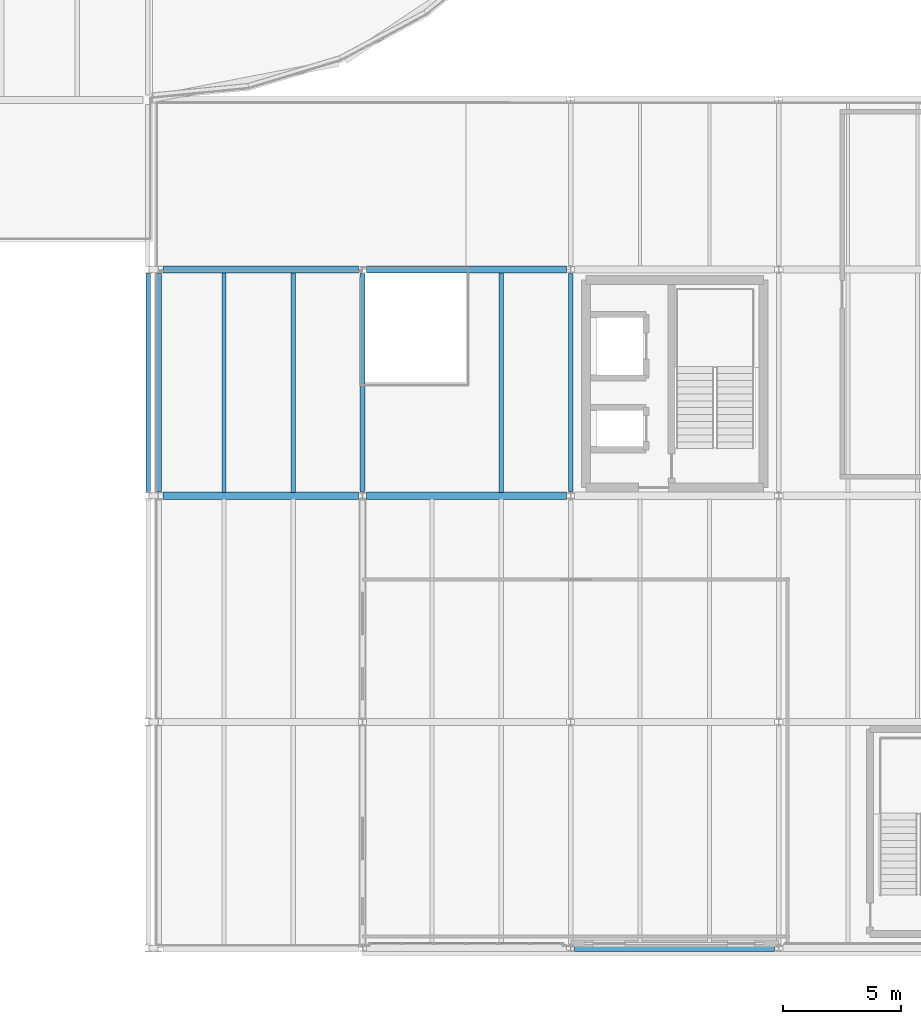
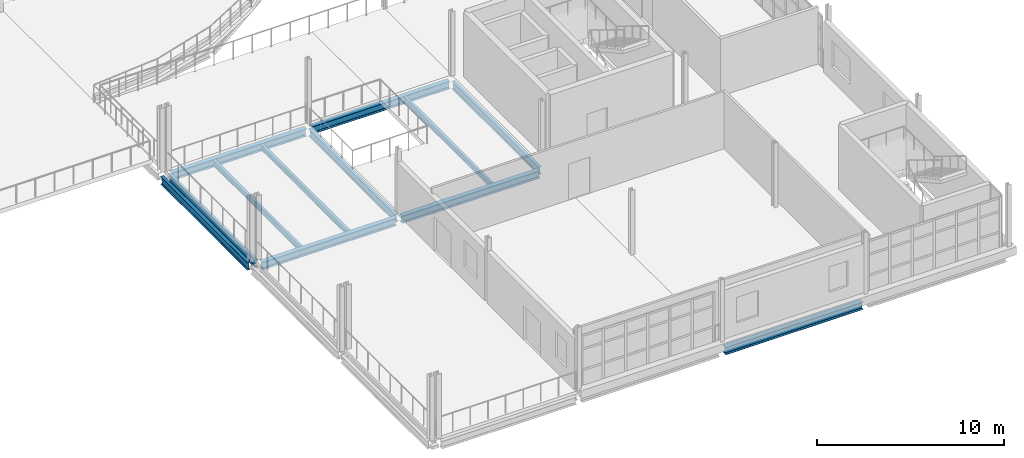
# One storey, part 30 of 58: 12 beams.
"""IFC4 building model written with IfcOpenShell, lengths in metres."""

import ifcopenshell
import ifcopenshell.guid

model = None  # the IFC model being written
_history = None  # IfcOwnerHistory: only IFC2X3 demands one
_inside = {}  # id of a spatial element -> (the spatial element, [elements in it])
_under = {}  # id of a project, library or spatial element -> (it, [spatial elements below it])
_declared = {}  # id of a project -> (the project, [libraries it declares])
_typed = {}  # id of a type object -> (the type object, [elements of that type])
_made_of = {}  # id of a material, layer set ... -> (it, [elements and type objects made of it])


def new_model(schema):
    """Start an empty IFC model of exactly this schema.

    Asked for "IFC4X3", IfcOpenShell would pick the latest addendum, in which some entities
    have other attributes; the version numbers below select the first issue.
    IFC2X3 requires an IfcOwnerHistory on every rooted entity: one is made here for all.
    """
    global model, _history
    if schema == "IFC4X3":
        model = ifcopenshell.file(schema_version=(4, 3, 0, 0))
    else:
        model = ifcopenshell.file(schema=schema)
    _inside.clear()
    _under.clear()
    _declared.clear()
    _typed.clear()
    _made_of.clear()
    _history = None
    if model.schema == "IFC2X3":
        org = make("IfcOrganization", Name="unknown")
        user = make(
            "IfcPersonAndOrganization",
            ThePerson=make("IfcPerson", FamilyName="unknown"),
            TheOrganization=org,
        )
        app = make(
            "IfcApplication",
            ApplicationDeveloper=org,
            Version="unknown",
            ApplicationFullName="unknown",
            ApplicationIdentifier="unknown",
        )
        _history = make(
            "IfcOwnerHistory",
            OwningUser=user,
            OwningApplication=app,
            ChangeAction="ADDED",
            CreationDate=0,
        )
    return model


def make(cls, **values):
    """One entity of the class cls with the attributes given. An attribute that is None is left unset."""
    return model.create_entity(
        cls, **{name: value for name, value in values.items() if value is not None}
    )


def rooted(cls, **values):
    """An entity with a GlobalId (a new one), such as an element, a storey or a relation."""
    return make(cls, GlobalId=ifcopenshell.guid.new(), OwnerHistory=_history, **values)


def si_unit(unit_type, name, prefix=None):
    """IfcSIUnit, for example si_unit("LENGTHUNIT", "METRE", prefix="MILLI")."""
    return make("IfcSIUnit", UnitType=unit_type, Prefix=prefix, Name=name)


def assignment(units):
    """IfcUnitAssignment: the units of a project."""
    return None if units is None else make("IfcUnitAssignment", Units=units)


def point(xyz):
    """IfcCartesianPoint."""
    return None if xyz is None else make("IfcCartesianPoint", Coordinates=xyz)


def direction(xyz):
    """IfcDirection."""
    return None if xyz is None else make("IfcDirection", DirectionRatios=xyz)


def frame(location, z_axis=None, x_axis=None):
    """IfcAxis2Placement3D, a coordinate frame: its origin and axes. An axis left out is left unset."""
    return make(
        "IfcAxis2Placement3D",
        Location=point(location),
        Axis=direction(z_axis),
        RefDirection=direction(x_axis),
    )


def frame_2d(location, x_axis=None):
    """IfcAxis2Placement2D, a coordinate frame in the plane: its origin and x axis."""
    return make(
        "IfcAxis2Placement2D", Location=point(location), RefDirection=direction(x_axis)
    )


def origin():
    """The frame at (0, 0, 0) with its axes left unset."""
    return frame((0.0, 0.0, 0.0))


def origin_2d():
    """The frame at (0, 0) in the plane with its x axis left unset."""
    return frame_2d((0.0, 0.0))


def place(relative_to, where):
    """IfcLocalPlacement: puts the frame where relative to a parent placement (None: the world)."""
    return make(
        "IfcLocalPlacement", PlacementRelTo=relative_to, RelativePlacement=where
    )


def context(
    kind, dimensions, precision=None, world=None, true_north=None, identifier=None
):
    """IfcGeometricRepresentationContext, for example the 3D "Model" context."""
    return make(
        "IfcGeometricRepresentationContext",
        ContextIdentifier=identifier,
        ContextType=kind,
        CoordinateSpaceDimension=dimensions,
        Precision=precision,
        WorldCoordinateSystem=world,
        TrueNorth=true_north,
    )


def subcontext(parent, identifier, kind, view, scale=None):
    """IfcGeometricRepresentationSubContext, for example "Body" below "Model"."""
    return make(
        "IfcGeometricRepresentationSubContext",
        ContextIdentifier=identifier,
        ContextType=kind,
        ParentContext=parent,
        TargetScale=scale,
        TargetView=view,
    )


def project(units=None, contexts=None):
    """IfcProject with its units and contexts."""
    return rooted(
        "IfcProject",
        Name="project",
        RepresentationContexts=contexts,
        UnitsInContext=assignment(units),
    )


def spatial(cls, under=None, at=None, **own):
    """A site, building, storey or space (cls), placed at a placement, below another one or the project."""
    s = rooted(cls, ObjectPlacement=at, **own)
    if under is not None:
        _under.setdefault(under.id(), (under, []))[1].append(s)
    return s


def profile(cls, at=None, kind="AREA", **sizes):
    """A parametric profile (cls). Its sizes go by their IFC names, for example OverallWidth=200.0."""
    return make(cls, ProfileType=kind, Position=at, **sizes)


def i_section(**sizes):
    """IfcIShapeProfileDef."""
    return profile("IfcIShapeProfileDef", **sizes)


def extrude(swept, where, along, depth):
    """IfcExtrudedAreaSolid: the profile swept, set in the frame where, extruded along a direction by depth."""
    return make(
        "IfcExtrudedAreaSolid",
        SweptArea=swept,
        Position=where,
        ExtrudedDirection=direction(along),
        Depth=depth,
    )


def shape(context_of_items, identifier, shape_type, items):
    """IfcShapeRepresentation: the items that make up one representation, for example the "Body"."""
    return make(
        "IfcShapeRepresentation",
        ContextOfItems=context_of_items,
        RepresentationIdentifier=identifier,
        RepresentationType=shape_type,
        Items=items,
    )


def material(Name=None, Category=None):
    """IfcMaterial."""
    return make("IfcMaterial", Name=Name, Category=Category)


def material_profile(
    of_material, cross_section, Name=None, Category=None, Priority=None
):
    """IfcMaterialProfile: a cross section and its material."""
    return make(
        "IfcMaterialProfile",
        Name=Name,
        Material=of_material,
        Profile=cross_section,
        Priority=Priority,
        Category=Category,
    )


def profile_set(profiles, Name=None, composite=None):
    """IfcMaterialProfileSet."""
    return make(
        "IfcMaterialProfileSet",
        Name=Name,
        MaterialProfiles=profiles,
        CompositeProfile=composite,
    )


def made_of(thing, what):
    """Note that an element or type object is made of a material, layer set ...; save() writes the relation."""
    if what is not None:
        _made_of.setdefault(what.id(), (what, []))[1].append(thing)
    return thing


def type_object(cls, material=None, **own):
    """A type object (cls), such as IfcWallType, which elements share."""
    return made_of(rooted(cls, **own), material)


def element(
    cls,
    number,
    at=None,
    inside=None,
    cuts=None,
    type_object=None,
    material=None,
    context=None,
    identifier="Body",
    shape_type=None,
    held_by="IfcProductDefinitionShape",
    body=None,
    shapes=None,
    **own,
):
    """One element of the class cls, such as IfcWall. Its Tag is "e" and its number.

    at: its placement. inside: the storey or other place that contains it. cuts: it is an
    opening in that element (IfcRelVoidsElement). A single representation is given by context,
    identifier, shape_type and body (its items); several are given by shapes. held_by: the class
    of the entity that holds the representations. save() writes the other relations.
    """
    e = rooted(cls, Tag="e%d" % number, ObjectPlacement=at, **own)
    if body is not None:
        shapes = [shape(context, identifier, shape_type, body)]
    if shapes is not None:
        e.Representation = make(held_by, Representations=shapes)
    if inside is not None:
        _inside.setdefault(inside.id(), (inside, []))[1].append(e)
    if cuts is not None:
        rooted(
            "IfcRelVoidsElement", RelatingBuildingElement=cuts, RelatedOpeningElement=e
        )
    if type_object is not None:
        _typed.setdefault(type_object.id(), (type_object, []))[1].append(e)
    return made_of(e, material)


def aggregate(whole, parts):
    """IfcRelAggregates: a whole, such as a stair, and the parts it consists of."""
    return rooted("IfcRelAggregates", RelatingObject=whole, RelatedObjects=parts)


def save(model, path):
    """Write the relations noted so far, then the file.

    IfcRelAggregates (storeys below a building ...), IfcRelContainedInSpatialStructure (elements
    in a storey), IfcRelDefinesByType, IfcRelAssociatesMaterial and IfcRelDeclares: one each for
    every whole, place, type object, material and project.
    """
    for whole, parts in _under.values():
        aggregate(whole, parts)
    for where, things in _inside.values():
        rooted(
            "IfcRelContainedInSpatialStructure",
            RelatedElements=things,
            RelatingStructure=where,
        )
    for kind, things in _typed.values():
        rooted("IfcRelDefinesByType", RelatedObjects=things, RelatingType=kind)
    for what, things in _made_of.values():
        rooted("IfcRelAssociatesMaterial", RelatedObjects=things, RelatingMaterial=what)
    for by, libraries in _declared.values():
        rooted("IfcRelDeclares", RelatingContext=by, RelatedDefinitions=libraries)
    model.write(path)


model = new_model("IFC4")

# Units and contexts
model_context = context("Model", 3, precision=1e-05, world=origin(), true_north=direction((0.0, 1.0)))
body_context = subcontext(model_context, "Body", "Model", "MODEL_VIEW")
ifc_project = project(units=[si_unit("LENGTHUNIT", "METRE"), si_unit("AREAUNIT", "SQUARE_METRE"), si_unit("VOLUMEUNIT", "CUBIC_METRE"), si_unit("PLANEANGLEUNIT", "RADIAN"), si_unit("MASSUNIT", "GRAM", prefix="KILO")], contexts=[model_context])

# Site, building, storey
site_placement = place(None, origin())
site = spatial("IfcSite", under=ifc_project, at=site_placement, CompositionType="ELEMENT")
building_placement = place(site_placement, origin())
building = spatial("IfcBuilding", under=site, at=building_placement, Name="Yeouljin Market Hall", CompositionType="ELEMENT")
storey_placement = place(building_placement, frame((0.0, 0.0, 10.800048828125)))
storey = spatial("IfcBuildingStorey", under=building, at=storey_placement, Name="L02", CompositionType="ELEMENT", Elevation=10.800048828125)

# Beams
ifc_material_1 = material(Name="Steel SM355", Category="steel")
ifc_material_profile_1 = material_profile(ifc_material_1, i_section(OverallWidth=0.199951171875, OverallDepth=0.5, WebThickness=0.010009765625, FlangeThickness=0.01611328125, FilletRadius=0.02001953125, at=origin_2d()), Name="H-500x200x10x16")
ifc_profile_set_1 = profile_set([ifc_material_profile_1], Name="Steel SM355")
beam_type_1 = type_object("IfcBeamType", Name="Beam_H-500x200x10x16", PredefinedType="BEAM", material=ifc_profile_set_1)
for number, where, z_axis, x_axis, name in (
    (1, (140.81005859375, 19.375, -0.449951171875), (0.0, 1.0, 0.0), (-1.0, 0.0, 0.0), "Primary beam BM-L02-Y130"),
    (2, (141.27001953125, 19.375, -0.449951171875), (0.0, 1.0, 0.0), (-1.0, 0.0, 0.0), "Primary beam BM-L02-Y138"),
    (3, (149.909912109375, 19.375, -0.51513671875), (0.0, 1.0, 0.0), (-1.0, 0.0, 0.0), "Primary beam BM-L02-Y141"),
    (4, (158.739990234375, 19.375, -0.51513671875), (0.0, 1.0, 0.0), (-1.0, 0.0, 0.0), "Primary beam BM-L02-Y144"),
):
    element("IfcBeam", number, at=place(storey_placement, frame(where, z_axis=z_axis, x_axis=x_axis)), inside=storey, type_object=beam_type_1, Name=name, PredefinedType="BEAM", context=body_context, shape_type="SweptSolid", body=[
        extrude(i_section(OverallWidth=0.199951171875, OverallDepth=0.5, WebThickness=0.010009765625, FlangeThickness=0.01611328125, FilletRadius=0.02001953125, at=origin_2d()), origin(), (0.0, 0.0, 1.0), 9.25),
    ])
ifc_material_2 = material(Name="Steel SM355", Category="steel")
ifc_material_profile_2 = material_profile(ifc_material_2, i_section(OverallWidth=0.300048828125, OverallDepth=0.488037109375, WebThickness=0.010986328125, FlangeThickness=0.01806640625, FilletRadius=0.02197265625, at=origin_2d()), Name="H-488x300x11x18")
ifc_profile_set_2 = profile_set([ifc_material_profile_2], Name="Steel SM355")
beam_type_2 = type_object("IfcBeamType", Name="Girder_H-488x300x11x18", PredefinedType="USERDEFINED", material=ifc_profile_set_2)
beam_1_placement = place(storey_placement, frame((158.9150390625, 0.0, -0.509033203125), z_axis=(1.0, 0.0, 0.0), x_axis=(0.0, 1.0, 0.0)))
element("IfcBeam", 5, at=beam_1_placement, inside=storey, type_object=beam_type_2, Name="Primary girder GRD-L02-X007", ObjectType="GIRDER", PredefinedType="USERDEFINED", context=body_context, shape_type="SweptSolid", body=[
    extrude(i_section(OverallWidth=0.300048828125, OverallDepth=0.488037109375, WebThickness=0.010986328125, FlangeThickness=0.01806640625, FilletRadius=0.02197265625, at=origin_2d()), origin(), (0.0, 0.0, 1.0), 8.47998046875),
])
beam_2_placement = place(storey_placement, frame((141.445068359375, 19.199951171875, -0.509033203125), z_axis=(1.0, 0.0, 0.0), x_axis=(0.0, 1.0, 0.0)))
element("IfcBeam", 6, at=beam_2_placement, inside=storey, type_object=beam_type_2, Name="Primary girder GRD-L02-X021", ObjectType="GIRDER", PredefinedType="USERDEFINED", context=body_context, shape_type="SweptSolid", body=[
    extrude(i_section(OverallWidth=0.300048828125, OverallDepth=0.488037109375, WebThickness=0.010986328125, FlangeThickness=0.01806640625, FilletRadius=0.02197265625, at=origin_2d()), origin(), (0.0, 0.0, 1.0), 8.2900390625),
])
beam_3_placement = place(storey_placement, frame((150.0849609375, 19.199951171875, -0.509033203125), z_axis=(1.0, 0.0, 0.0), x_axis=(0.0, 1.0, 0.0)))
element("IfcBeam", 7, at=beam_3_placement, inside=storey, type_object=beam_type_2, Name="Primary girder GRD-L02-X022", ObjectType="GIRDER", PredefinedType="USERDEFINED", context=body_context, shape_type="SweptSolid", body=[
    extrude(i_section(OverallWidth=0.300048828125, OverallDepth=0.488037109375, WebThickness=0.010986328125, FlangeThickness=0.01806640625, FilletRadius=0.02197265625, at=origin_2d()), origin(), (0.0, 0.0, 1.0), 8.47998046875),
])
beam_4_placement = place(storey_placement, frame((141.445068359375, 28.800048828125, -0.509033203125), z_axis=(1.0, 0.0, 0.0), x_axis=(0.0, 1.0, 0.0)))
element("IfcBeam", 8, at=beam_4_placement, inside=storey, type_object=beam_type_2, Name="Primary girder GRD-L02-X029", ObjectType="GIRDER", PredefinedType="USERDEFINED", context=body_context, shape_type="SweptSolid", body=[
    extrude(i_section(OverallWidth=0.300048828125, OverallDepth=0.488037109375, WebThickness=0.010986328125, FlangeThickness=0.01806640625, FilletRadius=0.02197265625, at=origin_2d()), origin(), (0.0, 0.0, 1.0), 8.2900390625),
])
beam_5_placement = place(storey_placement, frame((150.0849609375, 28.800048828125, -0.509033203125), z_axis=(1.0, 0.0, 0.0), x_axis=(0.0, 1.0, 0.0)))
element("IfcBeam", 9, at=beam_5_placement, inside=storey, type_object=beam_type_2, Name="Primary girder GRD-L02-X030", ObjectType="GIRDER", PredefinedType="USERDEFINED", context=body_context, shape_type="SweptSolid", body=[
    extrude(i_section(OverallWidth=0.300048828125, OverallDepth=0.488037109375, WebThickness=0.010986328125, FlangeThickness=0.01806640625, FilletRadius=0.02197265625, at=origin_2d()), origin(), (0.0, 0.0, 1.0), 8.47998046875),
])
ifc_material_3 = material(Name="Steel SM355", Category="steel")
ifc_material_profile_3 = material_profile(ifc_material_3, i_section(OverallWidth=0.175048828125, OverallDepth=0.35009765625, WebThickness=0.007080078125, FlangeThickness=0.010986328125, FilletRadius=0.013916015625, at=origin_2d()), Name="H-350x175x7x11")
ifc_profile_set_3 = profile_set([ifc_material_profile_3], Name="Steel SM355")
beam_type_3 = type_object("IfcBeamType", Name="Joist_H-350x175x7x11", PredefinedType="JOIST", material=ifc_profile_set_3)
for number, where, z_axis, x_axis, name in (
    (10, (144.023193359375, 19.346923828125, -0.43994140625), (0.0, 1.0, 0.0), (-1.0, 0.0, 0.0), "Secondary floor joist L02-067"),
    (11, (146.966796875, 19.346923828125, -0.43994140625), (0.0, 1.0, 0.0), (-1.0, 0.0, 0.0), "Secondary floor joist L02-068"),
    (12, (155.796630859375, 19.346923828125, -0.43994140625), (0.0, 1.0, 0.0), (-1.0, 0.0, 0.0), "Secondary floor joist L02-073"),
):
    element("IfcBeam", number, at=place(storey_placement, frame(where, z_axis=z_axis, x_axis=x_axis)), inside=storey, type_object=beam_type_3, Name=name, PredefinedType="JOIST", context=body_context, shape_type="SweptSolid", body=[
        extrude(i_section(OverallWidth=0.175048828125, OverallDepth=0.35009765625, WebThickness=0.007080078125, FlangeThickness=0.010986328125, FilletRadius=0.013916015625, at=origin_2d()), origin(), (0.0, 0.0, 1.0), 9.30615234375),
    ])

save(model, "model.ifc")
